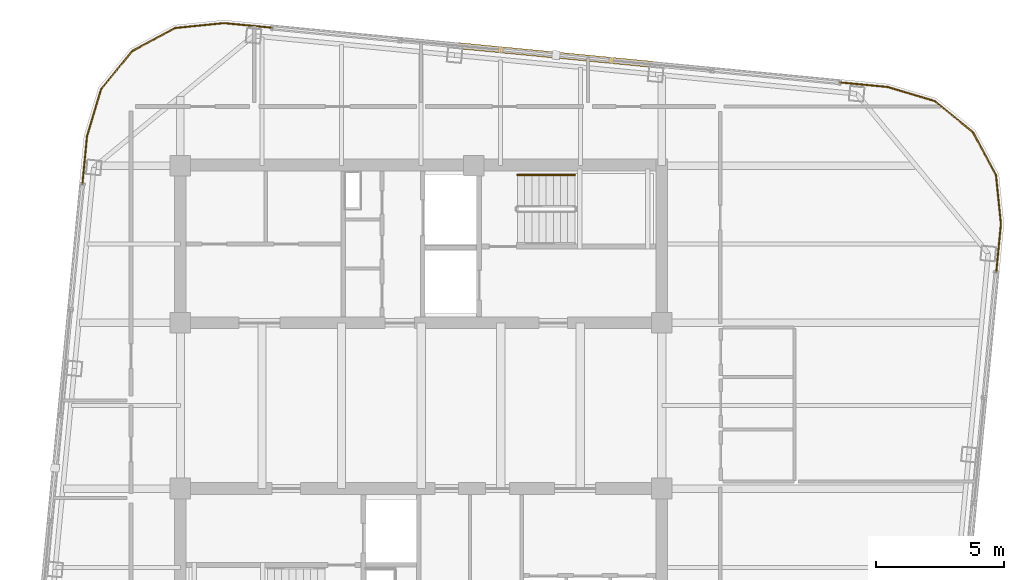
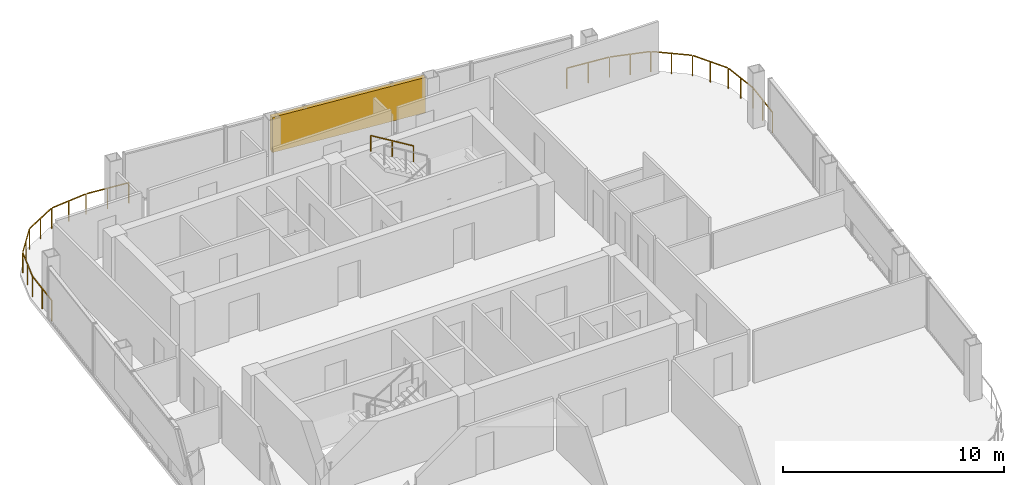
# One storey, part 23 of 23: 3 railings, 1 shading device.
"""IFC4 building model written with IfcOpenShell, lengths in metres."""

from ifc_helpers import new_model, si_unit, direction, frame, origin, origin_2d, place, context, subcontext, project, spatial, rectangle, extrude, material, type_object, element, save


model = new_model("IFC4")

# Units and contexts
model_context = context("Model", 3, precision=1e-05, world=origin(), true_north=direction((0.0, 1.0)))
body_context = subcontext(model_context, "Body", "Model", "MODEL_VIEW")
ifc_project = project(units=[si_unit("LENGTHUNIT", "METRE"), si_unit("AREAUNIT", "SQUARE_METRE"), si_unit("VOLUMEUNIT", "CUBIC_METRE"), si_unit("PLANEANGLEUNIT", "RADIAN"), si_unit("MASSUNIT", "GRAM", prefix="KILO")], contexts=[model_context])

# Site, building, storey
site_placement = place(None, origin())
site = spatial("IfcSite", under=ifc_project, at=site_placement, CompositionType="ELEMENT")
building_placement = place(site_placement, origin())
building = spatial("IfcBuilding", under=site, at=building_placement, Name="Qhalaya Broadcast Tower", CompositionType="ELEMENT")
storey_placement = place(building_placement, frame((0.0, 0.0, 264.199951171875)))
storey = spatial("IfcBuildingStorey", under=building, at=storey_placement, Name="L78", CompositionType="ELEMENT", Elevation=264.199951171875)

# Railings
ifc_material_1 = material(Name="Powder-Coated Galvanised Steel", Category="steel")
railing_type_1 = type_object("IfcRailingType", Name="Stair Wall Handrail 900", PredefinedType="HANDRAIL", material=ifc_material_1)
railing_1_placement = place(storey_placement, frame((5.989990234375, 9.590087890625, 1.694580078125)))
element("IfcRailing", 1, at=railing_1_placement, inside=storey, type_object=railing_type_1, Name="L78 ST-1 Stair Handrail 2", PredefinedType="HANDRAIL", context=body_context, shape_type="SweptSolid", body=[
    extrude(rectangle(XDim=0.048095703125, YDim=0.048095703125, at=origin_2d()), frame((0.0, 0.0, 0.8759765625), z_axis=(-0.855553338991, 0.0, 0.51771467445), x_axis=(0.0, -1.0, 0.0)), (0.0, 0.0, 1.0), 2.6181640625),
    extrude(rectangle(XDim=0.0419921875, YDim=0.0419921875, at=origin_2d()), origin(), (0.0, 0.0, 1.0), 0.849853515625),
    extrude(rectangle(XDim=0.0419921875, YDim=0.0419921875, at=origin_2d()), frame((-1.1201171875, 0.0, 0.677734375)), (0.0, 0.0, 1.0), 0.849853515625),
    extrude(rectangle(XDim=0.0419921875, YDim=0.0419921875, at=origin_2d()), frame((-2.239990234375, 0.0, 1.35546875)), (0.0, 0.0, 1.0), 0.849853515625),
])
railing_type_2 = type_object("IfcRailingType", Name="Terrace, Sky-Pool & Lookout Glass Balustrade 1150", PredefinedType="BALUSTRADE", material=ifc_material_1)
railing_2_placement = place(storey_placement, frame((-13.2158203125, 8.99365234375, 0.0)))
element("IfcRailing", 2, at=railing_2_placement, inside=storey, type_object=railing_type_2, Name="L78 Rounded Corner Perimeter Guard 03", PredefinedType="BALUSTRADE", context=body_context, shape_type="SweptSolid", body=[
    extrude(rectangle(XDim=0.048095703125, YDim=0.048095703125, at=origin_2d()), frame((0.0, 0.0, 1.1259765625), z_axis=(0.095896889673, 0.995391273094, 0.0), x_axis=(-0.995391273094, 0.095896889673, 0.0)), (0.0, 0.0, 1.0), 2.08935546875),
    extrude(rectangle(XDim=0.048095703125, YDim=0.048095703125, at=origin_2d()), frame((0.21142578125, 2.135986328125, 1.1259765625), z_axis=(0.288096282124, 0.957601447485, 0.0), x_axis=(-0.957601447485, 0.288096282124, 0.0)), (0.0, 0.0, 1.0), 1.857421875),
    extrude(rectangle(XDim=0.048095703125, YDim=0.048095703125, at=origin_2d()), frame((0.773193359375, 3.96484375, 1.1259765625), z_axis=(0.63274871945, 0.774357190213, 0.0), x_axis=(-0.774357190213, 0.63274871945, 0.0)), (0.0, 0.0, 1.0), 1.845703125),
    extrude(rectangle(XDim=0.048095703125, YDim=0.048095703125, at=origin_2d()), frame((1.984619140625, 5.429931640625, 1.1259765625), z_axis=(0.880878554058, 0.473342342286, 0.0), x_axis=(-0.473342342286, 0.880878554058, 0.0)), (0.0, 0.0, 1.0), 1.845458984375),
    extrude(rectangle(XDim=0.048095703125, YDim=0.048095703125, at=origin_2d()), frame((3.66455078125, 6.320068359375, 1.1259765625), z_axis=(0.994980230152, 0.100071682341, 0.0), x_axis=(-0.100071682341, 0.994980230152, 0.0)), (0.0, 0.0, 1.0), 1.857421875),
    extrude(rectangle(XDim=0.048095703125, YDim=0.048095703125, at=origin_2d()), frame((5.570068359375, 6.506103515625, 1.1259765625), z_axis=(0.995402268864, -0.095782687057, 0.0), x_axis=(0.095782687057, 0.995402268864, 0.0)), (0.0, 0.0, 1.0), 2.08935546875),
    extrude(rectangle(XDim=0.0419921875, YDim=0.0419921875, at=origin_2d()), origin(), (0.0, 0.0, 1.0), 1.099853515625),
    extrude(rectangle(XDim=0.0419921875, YDim=0.0419921875, at=origin_2d()), frame((0.1015625, 1.05419921875, 0.0)), (0.0, 0.0, 1.0), 1.099853515625),
    extrude(rectangle(XDim=0.0419921875, YDim=0.0419921875, at=origin_2d()), frame((0.203125, 2.1083984375, 0.0)), (0.0, 0.0, 1.0), 1.099853515625),
    extrude(rectangle(XDim=0.0419921875, YDim=0.0419921875, at=origin_2d()), frame((0.47900390625, 3.025390625, 0.0)), (0.0, 0.0, 1.0), 1.099853515625),
    extrude(rectangle(XDim=0.0419921875, YDim=0.0419921875, at=origin_2d()), frame((0.7548828125, 3.9423828125, 0.0)), (0.0, 0.0, 1.0), 1.099853515625),
    extrude(rectangle(XDim=0.0419921875, YDim=0.0419921875, at=origin_2d()), frame((1.35693359375, 4.67919921875, 0.0)), (0.0, 0.0, 1.0), 1.099853515625),
    extrude(rectangle(XDim=0.0419921875, YDim=0.0419921875, at=origin_2d()), frame((1.959228515625, 5.416259765625, 0.0)), (0.0, 0.0, 1.0), 1.099853515625),
    extrude(rectangle(XDim=0.0419921875, YDim=0.0419921875, at=origin_2d()), frame((2.79736328125, 5.86669921875, 0.0)), (0.0, 0.0, 1.0), 1.099853515625),
    extrude(rectangle(XDim=0.0419921875, YDim=0.0419921875, at=origin_2d()), frame((3.6357421875, 6.317138671875, 0.0)), (0.0, 0.0, 1.0), 1.099853515625),
    extrude(rectangle(XDim=0.0419921875, YDim=0.0419921875, at=origin_2d()), frame((4.58837890625, 6.4130859375, 0.0)), (0.0, 0.0, 1.0), 1.099853515625),
    extrude(rectangle(XDim=0.0419921875, YDim=0.0419921875, at=origin_2d()), frame((5.541259765625, 6.5087890625, 0.0)), (0.0, 0.0, 1.0), 1.099853515625),
    extrude(rectangle(XDim=0.0419921875, YDim=0.0419921875, at=origin_2d()), frame((6.595458984375, 6.4072265625, 0.0)), (0.0, 0.0, 1.0), 1.099853515625),
    extrude(rectangle(XDim=0.0419921875, YDim=0.0419921875, at=origin_2d()), frame((7.649658203125, 6.305908203125, 0.0)), (0.0, 0.0, 1.0), 1.099853515625),
])
railing_3_placement = place(storey_placement, frame((16.07373046875, 13.2158203125, 0.0)))
element("IfcRailing", 3, at=railing_3_placement, inside=storey, type_object=railing_type_2, Name="L78 Rounded Corner Perimeter Guard 04", PredefinedType="BALUSTRADE", context=body_context, shape_type="SweptSolid", body=[
    extrude(rectangle(XDim=0.048095703125, YDim=0.048095703125, at=origin_2d()), frame((0.0, 0.0, 1.1259765625), z_axis=(0.995391273094, -0.095896889673, 0.0), x_axis=(0.095896889673, 0.995391273094, 0.0)), (0.0, 0.0, 1.0), 2.08935546875),
    extrude(rectangle(XDim=0.048095703125, YDim=0.048095703125, at=origin_2d()), frame((2.135986328125, -0.21142578125, 1.1259765625), z_axis=(0.957601447485, -0.288096282124, 0.0), x_axis=(0.288096282124, 0.957601447485, 0.0)), (0.0, 0.0, 1.0), 1.857421875),
    extrude(rectangle(XDim=0.048095703125, YDim=0.048095703125, at=origin_2d()), frame((3.96484375, -0.773193359375, 1.1259765625), z_axis=(0.774357190213, -0.63274871945, 0.0), x_axis=(0.63274871945, 0.774357190213, 0.0)), (0.0, 0.0, 1.0), 1.845703125),
    extrude(rectangle(XDim=0.048095703125, YDim=0.048095703125, at=origin_2d()), frame((5.429931640625, -1.984619140625, 1.1259765625), z_axis=(0.473242797018, -0.880932037714, 0.0), x_axis=(0.880932037714, 0.473242797018, 0.0)), (0.0, 0.0, 1.0), 1.845458984375),
    extrude(rectangle(XDim=0.048095703125, YDim=0.048095703125, at=origin_2d()), frame((6.31982421875, -3.66455078125, 1.1259765625), z_axis=(0.100197883148, -0.994967529225, 0.0), x_axis=(0.994967529225, 0.100197883148, 0.0)), (0.0, 0.0, 1.0), 1.857421875),
    extrude(rectangle(XDim=0.048095703125, YDim=0.048095703125, at=origin_2d()), frame((6.506103515625, -5.570068359375, 1.1259765625), z_axis=(-0.095896889673, -0.995391273094, 0.0), x_axis=(0.995391273094, -0.095896889673, 0.0)), (0.0, 0.0, 1.0), 2.08935546875),
    extrude(rectangle(XDim=0.0419921875, YDim=0.0419921875, at=origin_2d()), origin(), (0.0, 0.0, 1.0), 1.099853515625),
    extrude(rectangle(XDim=0.0419921875, YDim=0.0419921875, at=origin_2d()), frame((1.05419921875, -0.1015625, 0.0)), (0.0, 0.0, 1.0), 1.099853515625),
    extrude(rectangle(XDim=0.0419921875, YDim=0.0419921875, at=origin_2d()), frame((2.1083984375, -0.203125, 0.0)), (0.0, 0.0, 1.0), 1.099853515625),
    extrude(rectangle(XDim=0.0419921875, YDim=0.0419921875, at=origin_2d()), frame((3.025390625, -0.47900390625, 0.0)), (0.0, 0.0, 1.0), 1.099853515625),
    extrude(rectangle(XDim=0.0419921875, YDim=0.0419921875, at=origin_2d()), frame((3.9423828125, -0.7548828125, 0.0)), (0.0, 0.0, 1.0), 1.099853515625),
    extrude(rectangle(XDim=0.0419921875, YDim=0.0419921875, at=origin_2d()), frame((4.67919921875, -1.35693359375, 0.0)), (0.0, 0.0, 1.0), 1.099853515625),
    extrude(rectangle(XDim=0.0419921875, YDim=0.0419921875, at=origin_2d()), frame((5.416259765625, -1.959228515625, 0.0)), (0.0, 0.0, 1.0), 1.099853515625),
    extrude(rectangle(XDim=0.0419921875, YDim=0.0419921875, at=origin_2d()), frame((5.86669921875, -2.79736328125, 0.0)), (0.0, 0.0, 1.0), 1.099853515625),
    extrude(rectangle(XDim=0.0419921875, YDim=0.0419921875, at=origin_2d()), frame((6.31689453125, -3.6357421875, 0.0)), (0.0, 0.0, 1.0), 1.099853515625),
    extrude(rectangle(XDim=0.0419921875, YDim=0.0419921875, at=origin_2d()), frame((6.412841796875, -4.58837890625, 0.0)), (0.0, 0.0, 1.0), 1.099853515625),
    extrude(rectangle(XDim=0.0419921875, YDim=0.0419921875, at=origin_2d()), frame((6.5087890625, -5.541259765625, 0.0)), (0.0, 0.0, 1.0), 1.099853515625),
    extrude(rectangle(XDim=0.0419921875, YDim=0.0419921875, at=origin_2d()), frame((6.4072265625, -6.595458984375, 0.0)), (0.0, 0.0, 1.0), 1.099853515625),
    extrude(rectangle(XDim=0.0419921875, YDim=0.0419921875, at=origin_2d()), frame((6.3056640625, -7.649658203125, 0.0)), (0.0, 0.0, 1.0), 1.099853515625),
])

# Shading device
ifc_material_2 = material(Name="Fired Architectural Terracotta", Category="masonry")
shading_device_type = type_object("IfcShadingDeviceType", Name="Terracotta Baguette Solar Screen Assembly TBS-01", PredefinedType="USERDEFINED", material=ifc_material_2)
shading_device_placement = place(storey_placement, frame((5.25390625, 14.2578125, 0.80078125), z_axis=(0.0, 0.0, 1.0), x_axis=(-0.995396198367, 0.09584575252, 0.0)))
element("IfcShadingDevice", 4, at=shading_device_placement, inside=storey, type_object=shading_device_type, Name="L78 Fired Terracotta Baguette Screen N", ObjectType="BAGUETTE", PredefinedType="USERDEFINED", context=body_context, shape_type="SweptSolid", body=[
    extrude(rectangle(XDim=7.60009765625, YDim=0.239990234375, at=origin_2d()), origin(), (0.0, 0.0, 1.0), 1.945068359375),
])

save(model, "model.ifc")
